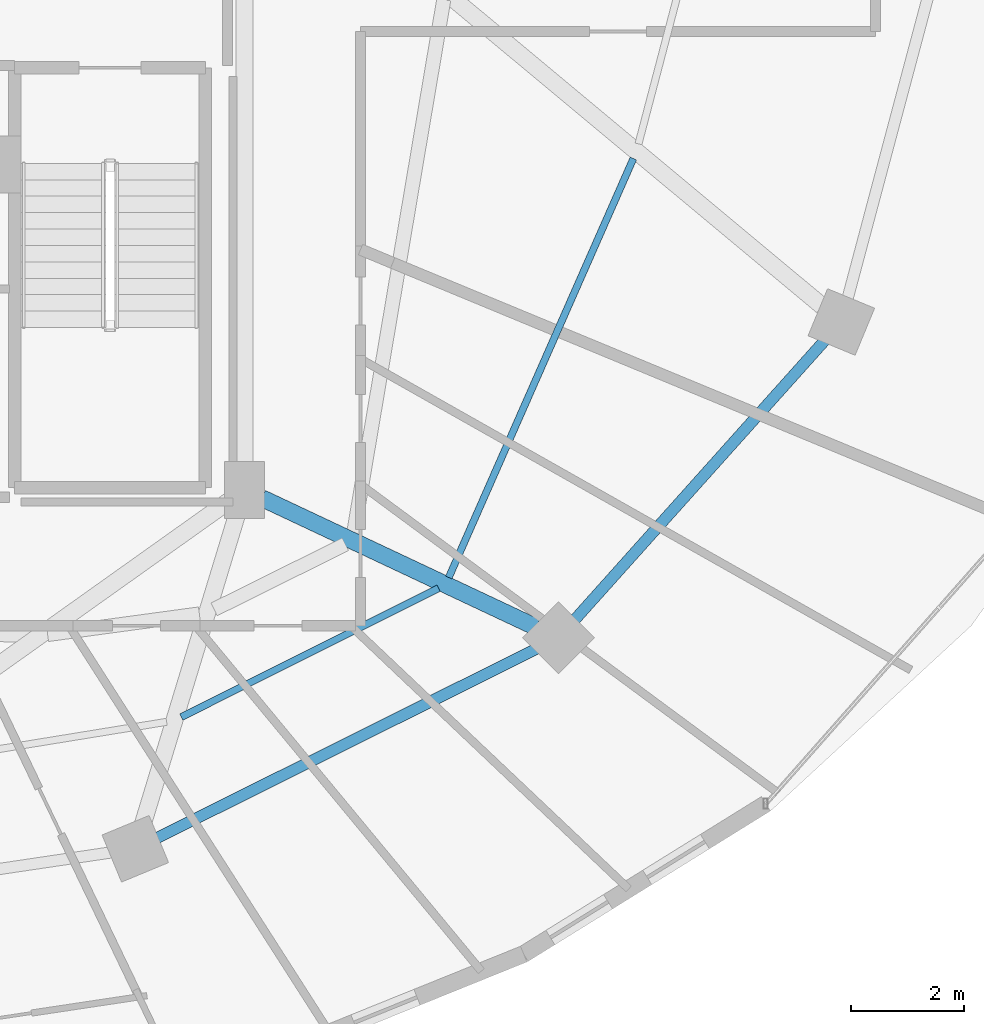
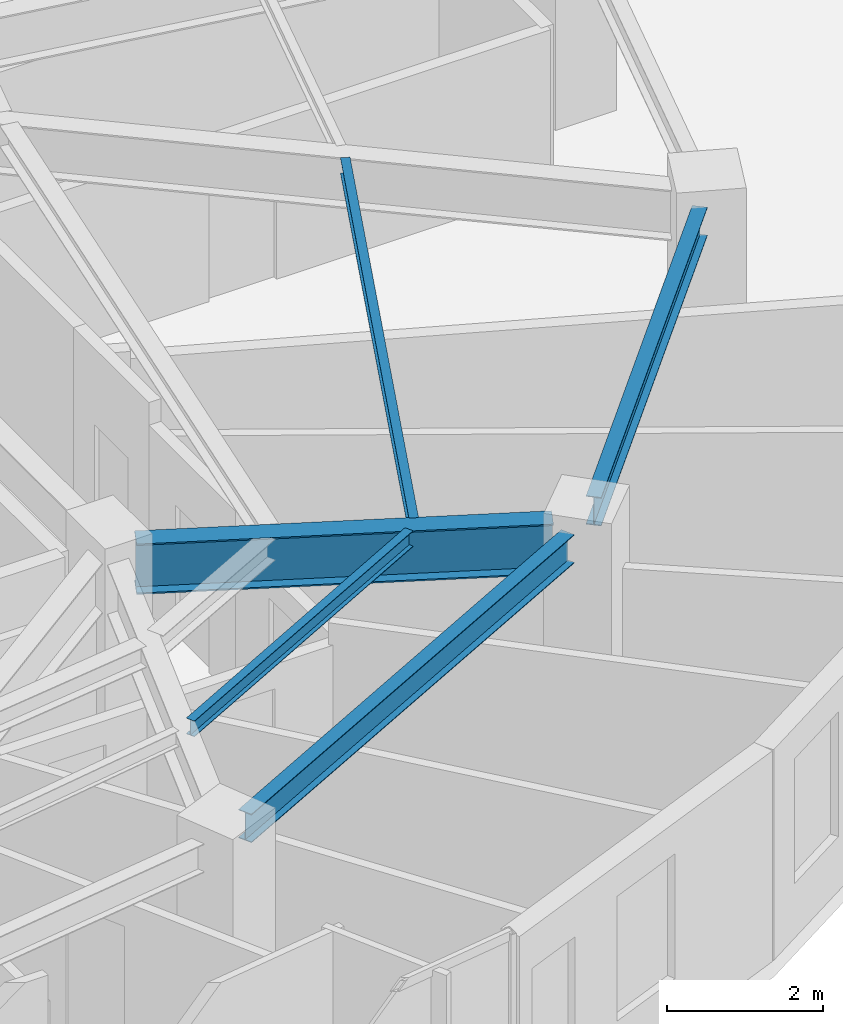
# One storey, part 12 of 32: 5 beams.
"""IFC4 building model written with IfcOpenShell, lengths in metres."""

from ifc_helpers import new_model, si_unit, direction, frame, origin, origin_2d, place, context, subcontext, project, spatial, i_section, extrude, material, material_profile, profile_set, type_object, element, save


model = new_model("IFC4")

# Units and contexts
model_context = context("Model", 3, precision=1e-05, world=origin(), true_north=direction((0.0, 1.0)))
body_context = subcontext(model_context, "Body", "Model", "MODEL_VIEW")
ifc_project = project(units=[si_unit("LENGTHUNIT", "METRE"), si_unit("AREAUNIT", "SQUARE_METRE"), si_unit("VOLUMEUNIT", "CUBIC_METRE"), si_unit("PLANEANGLEUNIT", "RADIAN"), si_unit("MASSUNIT", "GRAM", prefix="KILO")], contexts=[model_context])

# Site, building, storey
site_placement = place(None, origin())
site = spatial("IfcSite", under=ifc_project, at=site_placement, CompositionType="ELEMENT")
building_placement = place(site_placement, origin())
building = spatial("IfcBuilding", under=site, at=building_placement, Name="Vorneva Point Tower", CompositionType="ELEMENT")
storey_placement = place(building_placement, frame((0.0, 0.0, 207.199951171875)))
storey = spatial("IfcBuildingStorey", under=building, at=storey_placement, Name="L56", CompositionType="ELEMENT", Elevation=207.199951171875)

# Beams
ifc_material = material(Name="Steel S355", Category="steel")
ifc_material_profile_1 = material_profile(ifc_material, i_section(OverallWidth=0.300048828125, OverallDepth=0.7880859375, WebThickness=0.014404296875, FlangeThickness=0.02197265625, at=origin_2d()), Name="80Sh1")
ifc_profile_set_1 = profile_set([ifc_material_profile_1], Name="Steel S355")
beam_type_1 = type_object("IfcBeamType", Name="BM-GRD-80Sh1", PredefinedType="USERDEFINED", material=ifc_profile_set_1)
beam_1_placement = place(storey_placement, frame((53.902587890625, 14.0244140625, 2.89599609375), z_axis=(-0.904762899762, 0.42591559635, 0.0), x_axis=(-0.42591559635, -0.904762899762, 0.0)))
element("IfcBeam", 1, at=beam_1_placement, inside=storey, type_object=beam_type_1, Name="L56 Radial Primary Girder 15", ObjectType="GIRDER", PredefinedType="USERDEFINED", context=body_context, shape_type="SweptSolid", body=[
    extrude(i_section(OverallWidth=0.300048828125, OverallDepth=0.7880859375, WebThickness=0.014404296875, FlangeThickness=0.02197265625, at=origin_2d()), origin(), (0.0, 0.0, 1.0), 5.35498046875),
])
ifc_material_profile_2 = material_profile(ifc_material, i_section(OverallWidth=0.1240234375, OverallDepth=0.248046875, WebThickness=0.0048828125, FlangeThickness=0.008056640625, at=origin_2d()), Name="25B1")
ifc_profile_set_2 = profile_set([ifc_material_profile_2], Name="Steel S355")
beam_type_2 = type_object("IfcBeamType", Name="BM-JST-25B1", PredefinedType="JOIST", material=ifc_profile_set_2)
beam_2_placement = place(storey_placement, frame((47.633544921875, 12.43701171875, 3.166015625), z_axis=(0.894062048445, 0.447943136493, 0.0), x_axis=(-0.447943136493, 0.894062048445, 0.0)))
element("IfcBeam", 2, at=beam_2_placement, inside=storey, type_object=beam_type_2, Name="L56 Secondary Floor Beam 1.14", PredefinedType="JOIST", context=body_context, shape_type="SweptSolid", body=[
    extrude(i_section(OverallWidth=0.1240234375, OverallDepth=0.248046875, WebThickness=0.0048828125, FlangeThickness=0.008056640625, at=origin_2d()), origin(), (0.0, 0.0, 1.0), 5.085693359375),
])
beam_3_placement = place(storey_placement, frame((52.359375, 14.9033203125, 3.166015625), z_axis=(0.403173499612, 0.915123559532, 0.0), x_axis=(-0.915123559532, 0.403173499612, 0.0)))
element("IfcBeam", 3, at=beam_3_placement, inside=storey, type_object=beam_type_2, Name="L56 Secondary Floor Beam 1.15", PredefinedType="JOIST", context=body_context, shape_type="SweptSolid", body=[
    extrude(i_section(OverallWidth=0.1240234375, OverallDepth=0.248046875, WebThickness=0.0048828125, FlangeThickness=0.008056640625, at=origin_2d()), origin(), (0.0, 0.0, 1.0), 8.0888671875),
])
ifc_material_profile_3 = material_profile(ifc_material, i_section(OverallWidth=0.198974609375, OverallDepth=0.446044921875, WebThickness=0.008056640625, FlangeThickness=0.011962890625, at=origin_2d()), Name="45B1")
ifc_profile_set_3 = profile_set([ifc_material_profile_3], Name="Steel S355")
beam_type_3 = type_object("IfcBeamType", Name="BM-SPN-45B1", PredefinedType="SPANDREL", material=ifc_profile_set_3)
beam_4_placement = place(storey_placement, frame((47.210205078125, 10.303466796875, 3.067138671875), z_axis=(0.894922371084, 0.446221861559, 0.0), x_axis=(-0.446221861559, 0.894922371084, 0.0)))
element("IfcBeam", 4, at=beam_4_placement, inside=storey, type_object=beam_type_3, Name="L56 Perimeter Spandrel Ring Beam 14", PredefinedType="SPANDREL", context=body_context, shape_type="SweptSolid", body=[
    extrude(i_section(OverallWidth=0.198974609375, OverallDepth=0.446044921875, WebThickness=0.008056640625, FlangeThickness=0.011962890625, at=origin_2d()), origin(), (0.0, 0.0, 1.0), 7.48583984375),
])
beam_5_placement = place(storey_placement, frame((54.589111328125, 14.161865234375, 3.067138671875), z_axis=(0.66706970547, 0.744995307397, 0.0), x_axis=(-0.744995307397, 0.66706970547, 0.0)))
element("IfcBeam", 5, at=beam_5_placement, inside=storey, type_object=beam_type_3, Name="L56 Perimeter Spandrel Ring Beam 15", PredefinedType="SPANDREL", context=body_context, shape_type="SweptSolid", body=[
    extrude(i_section(OverallWidth=0.198974609375, OverallDepth=0.446044921875, WebThickness=0.008056640625, FlangeThickness=0.011962890625, at=origin_2d()), origin(), (0.0, 0.0, 1.0), 6.6201171875),
])

save(model, "model.ifc")
